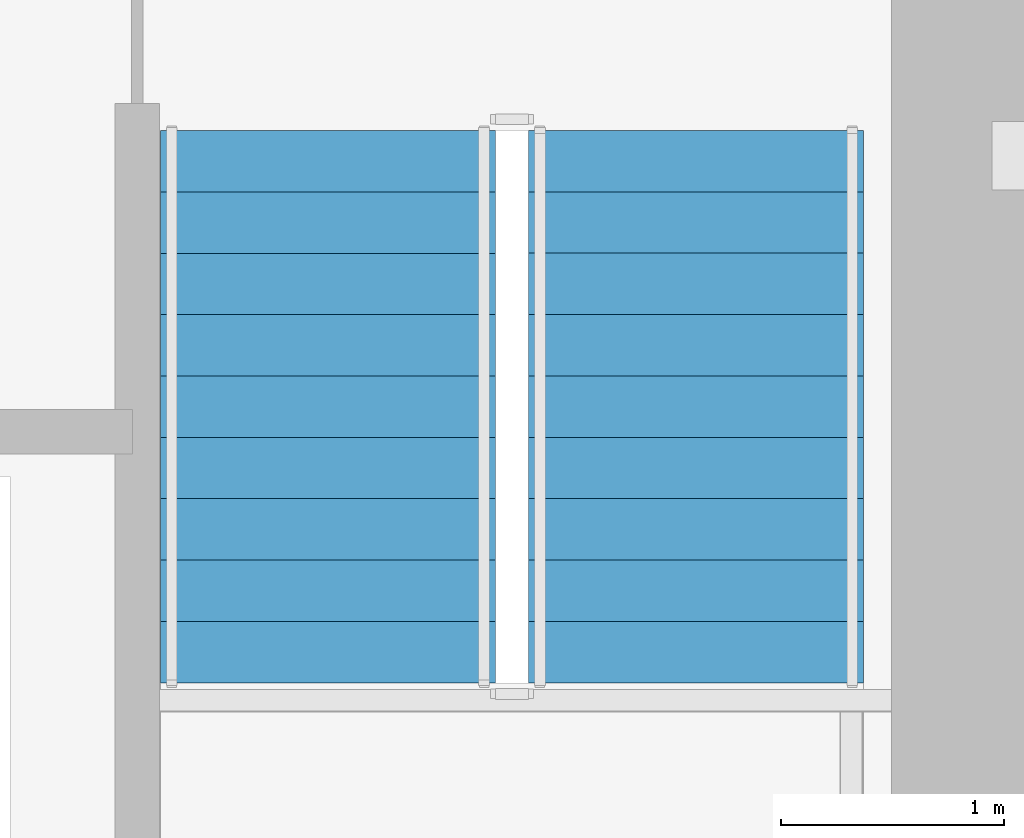
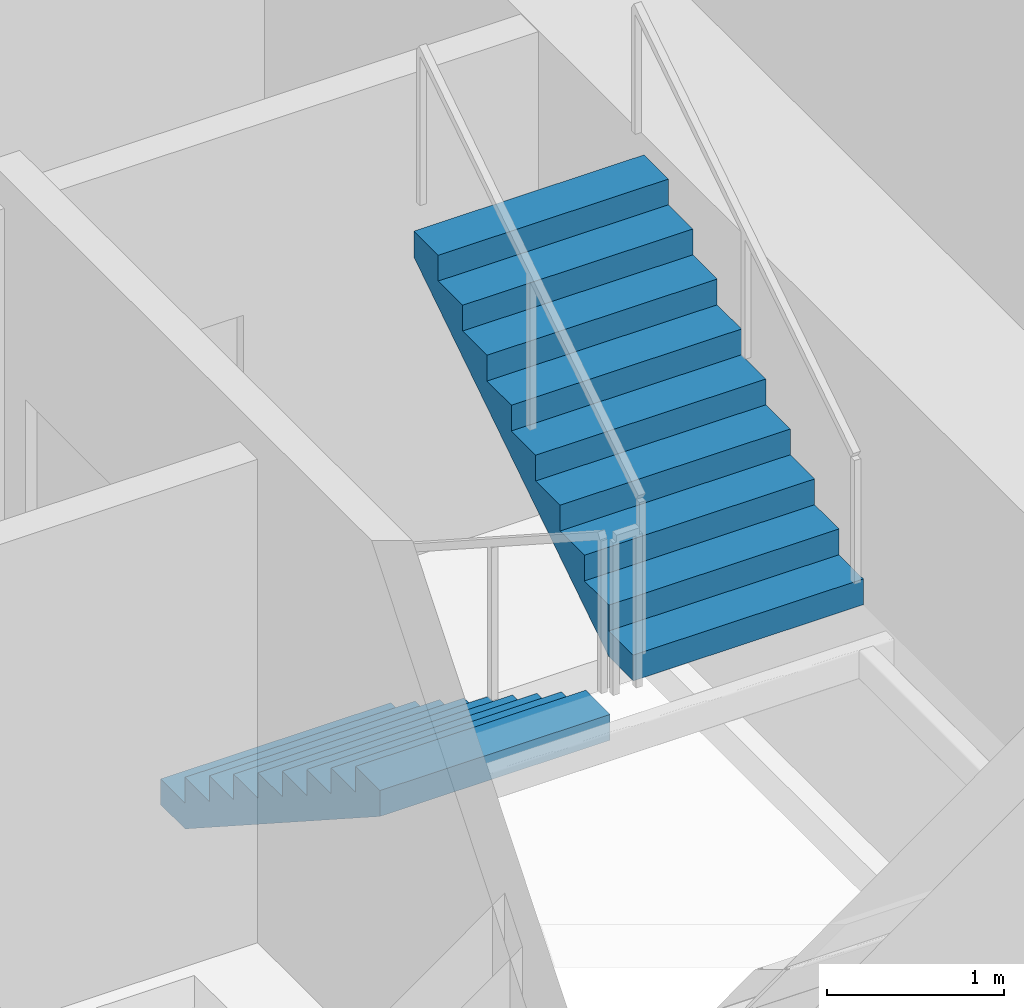
# One storey, part 8 of 11: 2 stair flights, 1 element without a shape of its own.
"""IFC4 building model written with IfcOpenShell, lengths in metres."""

from ifc_helpers import new_model, si_unit, direction, frame, origin, place, context, subcontext, project, spatial, polyline, outline, extrude, material, type_object, element, aggregate, save


model = new_model("IFC4")

# Units and contexts
model_context = context("Model", 3, precision=1e-05, world=origin(), true_north=direction((0.0, 1.0)))
body_context = subcontext(model_context, "Body", "Model", "MODEL_VIEW")
ifc_project = project(units=[si_unit("LENGTHUNIT", "METRE"), si_unit("AREAUNIT", "SQUARE_METRE"), si_unit("VOLUMEUNIT", "CUBIC_METRE"), si_unit("PLANEANGLEUNIT", "RADIAN"), si_unit("MASSUNIT", "GRAM", prefix="KILO")], contexts=[model_context])

# Site, building, storey
site_placement = place(None, origin())
site = spatial("IfcSite", under=ifc_project, at=site_placement, CompositionType="ELEMENT")
building_placement = place(site_placement, origin())
building = spatial("IfcBuilding", under=site, at=building_placement, Name="Cinnabar Lancet Tower", CompositionType="ELEMENT")
storey_placement = place(building_placement, frame((0.0, 0.0, 60.39990234375)))
storey = spatial("IfcBuildingStorey", under=building, at=storey_placement, Name="L15", CompositionType="ELEMENT", Elevation=60.39990234375)

# Stair, stair flights
ifc_material_1 = material(Name="Concrete C40/50", Category="concrete")
stair_type = type_object("IfcStairType", Name="ST-CORE", PredefinedType="HALF_TURN_STAIR", material=ifc_material_1)
stair_placement = place(storey_placement, origin())
stair = element("IfcStair", 1, at=stair_placement, inside=storey, type_object=stair_type, Name="L15 ST-2", PredefinedType="HALF_TURN_STAIR")
ifc_material_2 = material(Name="Concrete C40/50", Category="concrete")
stair_flight_type = type_object("IfcStairFlightType", Name="FLIGHT-CORE", PredefinedType="STRAIGHT", material=ifc_material_2)
stair_flight_1_placement = place(storey_placement, frame((38.875, 28.39990234375, 0.0), z_axis=(0.0, 0.0, 1.0), x_axis=(0.0, -1.0, 0.0)))
stair_flight_1 = element("IfcStairFlight", 2, at=stair_flight_1_placement, type_object=stair_flight_type, Name="ST-2 flight 1", NumberOfRisers=10, NumberOfTreads=9, PredefinedType="STRAIGHT", RiserHeight=0.1775, TreadLength=0.275, context=body_context, shape_type="SweptSolid", body=[
    extrude(outline(polyline([(0.0, 0.0), (0.0, 0.177490234375), (0.27490234375, 0.177490234375), (0.27490234375, 0.35498046875), (0.550048828125, 0.35498046875), (0.550048828125, 0.532470703125), (0.824951171875, 0.532470703125), (0.824951171875, 0.7099609375), (1.10009765625, 0.7099609375), (1.10009765625, 0.887451171875), (1.375, 0.887451171875), (1.375, 1.06494140625), (1.64990234375, 1.06494140625), (1.64990234375, 1.242431640625), (1.925048828125, 1.242431640625), (1.925048828125, 1.419921875), (2.199951171875, 1.419921875), (2.199951171875, 1.597412109375), (2.47509765625, 1.597412109375), (2.47509765625, 1.77490234375), (2.47509765625, 1.419189453125), (0.2763671875, 0.0), (0.0, 0.0)])), frame((0.0, 0.75, 0.0), z_axis=(0.0, -1.0, 0.0), x_axis=(1.0, 0.0, 0.0)), (0.0, 0.0, 1.0), 1.5),
])
stair_flight_2_placement = place(storey_placement, frame((40.52490234375, 25.925048828125, 1.775146484375), z_axis=(0.0, 0.0, 1.0), x_axis=(0.0, 1.0, 0.0)))
stair_flight_2 = element("IfcStairFlight", 3, at=stair_flight_2_placement, type_object=stair_flight_type, Name="ST-2 flight 2", NumberOfRisers=10, NumberOfTreads=9, PredefinedType="STRAIGHT", RiserHeight=0.1775, TreadLength=0.275, context=body_context, shape_type="SweptSolid", body=[
    extrude(outline(polyline([(0.0, 0.0), (0.0, 0.177490234375), (0.27490234375, 0.177490234375), (0.27490234375, 0.35498046875), (0.550048828125, 0.35498046875), (0.550048828125, 0.532470703125), (0.824951171875, 0.532470703125), (0.824951171875, 0.7099609375), (1.10009765625, 0.7099609375), (1.10009765625, 0.887451171875), (1.375, 0.887451171875), (1.375, 1.06494140625), (1.64990234375, 1.06494140625), (1.64990234375, 1.242431640625), (1.925048828125, 1.242431640625), (1.925048828125, 1.419921875), (2.199951171875, 1.419921875), (2.199951171875, 1.597412109375), (2.47509765625, 1.597412109375), (2.47509765625, 1.77490234375), (2.47509765625, 1.419189453125), (0.2763671875, 0.0), (0.0, 0.0)])), frame((0.0, 0.75, 0.0), z_axis=(0.0, -1.0, 0.0), x_axis=(1.0, 0.0, 0.0)), (0.0, 0.0, 1.0), 1.5),
])
aggregate(stair, [stair_flight_1, stair_flight_2])

save(model, "model.ifc")
